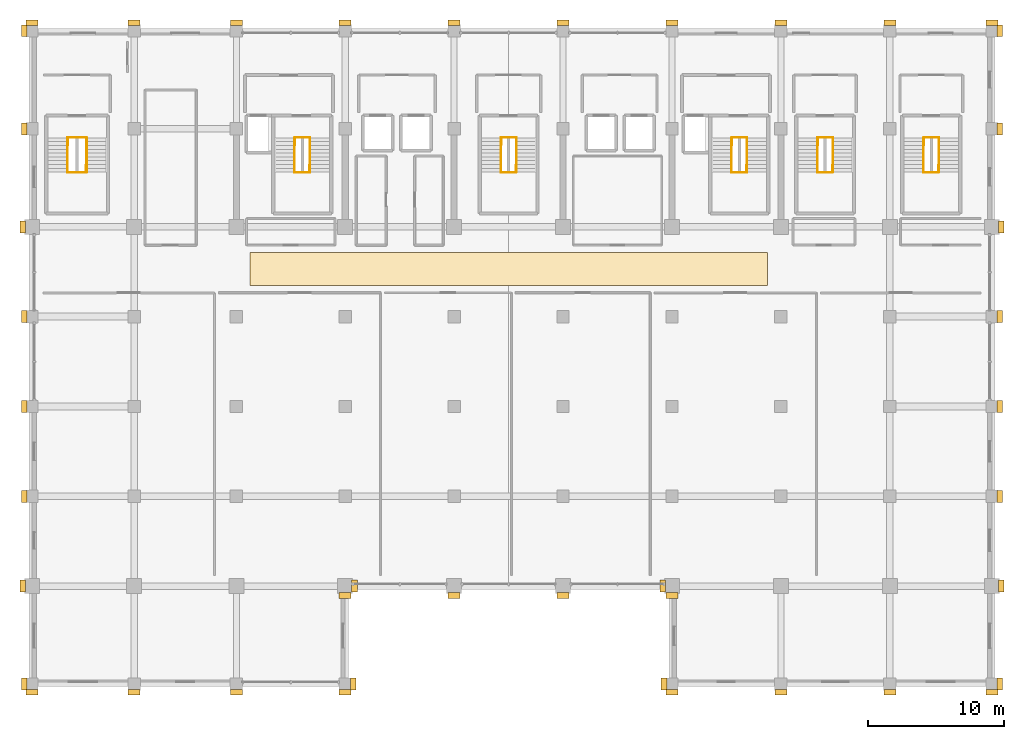
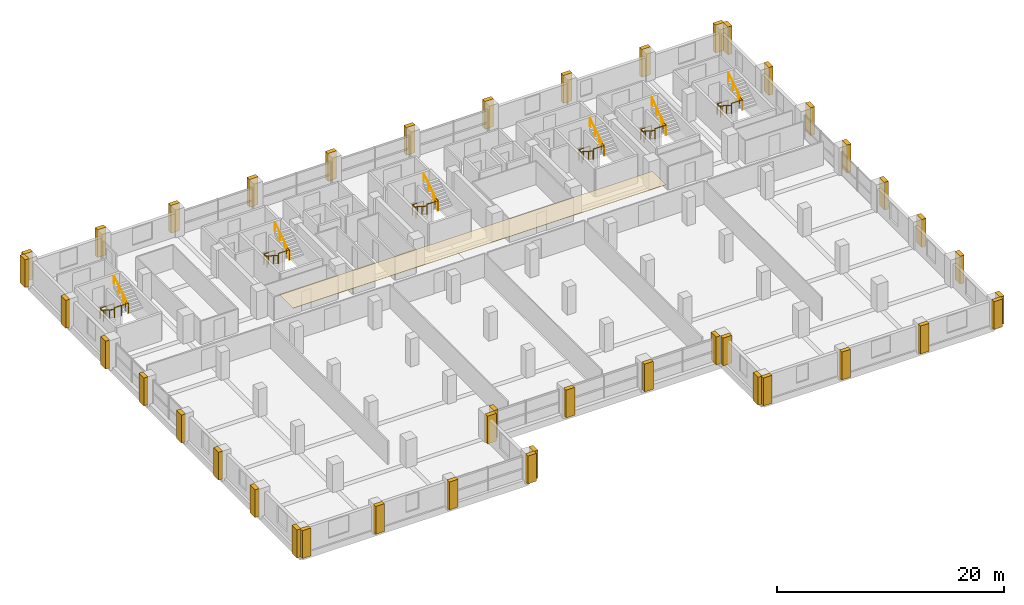
# One storey, part 21 of 21: 43 coverings, 24 railings.
"""IFC4 building model written with IfcOpenShell, lengths in metres."""

import ifcopenshell
import ifcopenshell.guid

model = None  # the IFC model being written
_history = None  # IfcOwnerHistory: only IFC2X3 demands one
_inside = {}  # id of a spatial element -> (the spatial element, [elements in it])
_under = {}  # id of a project, library or spatial element -> (it, [spatial elements below it])
_declared = {}  # id of a project -> (the project, [libraries it declares])
_typed = {}  # id of a type object -> (the type object, [elements of that type])
_made_of = {}  # id of a material, layer set ... -> (it, [elements and type objects made of it])


def new_model(schema):
    """Start an empty IFC model of exactly this schema.

    Asked for "IFC4X3", IfcOpenShell would pick the latest addendum, in which some entities
    have other attributes; the version numbers below select the first issue.
    IFC2X3 requires an IfcOwnerHistory on every rooted entity: one is made here for all.
    """
    global model, _history
    if schema == "IFC4X3":
        model = ifcopenshell.file(schema_version=(4, 3, 0, 0))
    else:
        model = ifcopenshell.file(schema=schema)
    _inside.clear()
    _under.clear()
    _declared.clear()
    _typed.clear()
    _made_of.clear()
    _history = None
    if model.schema == "IFC2X3":
        org = make("IfcOrganization", Name="unknown")
        user = make(
            "IfcPersonAndOrganization",
            ThePerson=make("IfcPerson", FamilyName="unknown"),
            TheOrganization=org,
        )
        app = make(
            "IfcApplication",
            ApplicationDeveloper=org,
            Version="unknown",
            ApplicationFullName="unknown",
            ApplicationIdentifier="unknown",
        )
        _history = make(
            "IfcOwnerHistory",
            OwningUser=user,
            OwningApplication=app,
            ChangeAction="ADDED",
            CreationDate=0,
        )
    return model


def make(cls, **values):
    """One entity of the class cls with the attributes given. An attribute that is None is left unset."""
    return model.create_entity(
        cls, **{name: value for name, value in values.items() if value is not None}
    )


def rooted(cls, **values):
    """An entity with a GlobalId (a new one), such as an element, a storey or a relation."""
    return make(cls, GlobalId=ifcopenshell.guid.new(), OwnerHistory=_history, **values)


def si_unit(unit_type, name, prefix=None):
    """IfcSIUnit, for example si_unit("LENGTHUNIT", "METRE", prefix="MILLI")."""
    return make("IfcSIUnit", UnitType=unit_type, Prefix=prefix, Name=name)


def assignment(units):
    """IfcUnitAssignment: the units of a project."""
    return None if units is None else make("IfcUnitAssignment", Units=units)


def point(xyz):
    """IfcCartesianPoint."""
    return None if xyz is None else make("IfcCartesianPoint", Coordinates=xyz)


def direction(xyz):
    """IfcDirection."""
    return None if xyz is None else make("IfcDirection", DirectionRatios=xyz)


def frame(location, z_axis=None, x_axis=None):
    """IfcAxis2Placement3D, a coordinate frame: its origin and axes. An axis left out is left unset."""
    return make(
        "IfcAxis2Placement3D",
        Location=point(location),
        Axis=direction(z_axis),
        RefDirection=direction(x_axis),
    )


def frame_2d(location, x_axis=None):
    """IfcAxis2Placement2D, a coordinate frame in the plane: its origin and x axis."""
    return make(
        "IfcAxis2Placement2D", Location=point(location), RefDirection=direction(x_axis)
    )


def origin():
    """The frame at (0, 0, 0) with its axes left unset."""
    return frame((0.0, 0.0, 0.0))


def origin_2d():
    """The frame at (0, 0) in the plane with its x axis left unset."""
    return frame_2d((0.0, 0.0))


def place(relative_to, where):
    """IfcLocalPlacement: puts the frame where relative to a parent placement (None: the world)."""
    return make(
        "IfcLocalPlacement", PlacementRelTo=relative_to, RelativePlacement=where
    )


def context(
    kind, dimensions, precision=None, world=None, true_north=None, identifier=None
):
    """IfcGeometricRepresentationContext, for example the 3D "Model" context."""
    return make(
        "IfcGeometricRepresentationContext",
        ContextIdentifier=identifier,
        ContextType=kind,
        CoordinateSpaceDimension=dimensions,
        Precision=precision,
        WorldCoordinateSystem=world,
        TrueNorth=true_north,
    )


def subcontext(parent, identifier, kind, view, scale=None):
    """IfcGeometricRepresentationSubContext, for example "Body" below "Model"."""
    return make(
        "IfcGeometricRepresentationSubContext",
        ContextIdentifier=identifier,
        ContextType=kind,
        ParentContext=parent,
        TargetScale=scale,
        TargetView=view,
    )


def project(units=None, contexts=None):
    """IfcProject with its units and contexts."""
    return rooted(
        "IfcProject",
        Name="project",
        RepresentationContexts=contexts,
        UnitsInContext=assignment(units),
    )


def spatial(cls, under=None, at=None, **own):
    """A site, building, storey or space (cls), placed at a placement, below another one or the project."""
    s = rooted(cls, ObjectPlacement=at, **own)
    if under is not None:
        _under.setdefault(under.id(), (under, []))[1].append(s)
    return s


def profile(cls, at=None, kind="AREA", **sizes):
    """A parametric profile (cls). Its sizes go by their IFC names, for example OverallWidth=200.0."""
    return make(cls, ProfileType=kind, Position=at, **sizes)


def rectangle(**sizes):
    """IfcRectangleProfileDef."""
    return profile("IfcRectangleProfileDef", **sizes)


def circle(**sizes):
    """IfcCircleProfileDef."""
    return profile("IfcCircleProfileDef", **sizes)


def extrude(swept, where, along, depth):
    """IfcExtrudedAreaSolid: the profile swept, set in the frame where, extruded along a direction by depth."""
    return make(
        "IfcExtrudedAreaSolid",
        SweptArea=swept,
        Position=where,
        ExtrudedDirection=direction(along),
        Depth=depth,
    )


def shape(context_of_items, identifier, shape_type, items):
    """IfcShapeRepresentation: the items that make up one representation, for example the "Body"."""
    return make(
        "IfcShapeRepresentation",
        ContextOfItems=context_of_items,
        RepresentationIdentifier=identifier,
        RepresentationType=shape_type,
        Items=items,
    )


def material(Name=None, Category=None):
    """IfcMaterial."""
    return make("IfcMaterial", Name=Name, Category=Category)


def layer(
    of_material, thickness, ventilated=None, Name=None, Category=None, Priority=None
):
    """IfcMaterialLayer: one layer of a wall or slab, of a material (None: an air gap)."""
    return make(
        "IfcMaterialLayer",
        Material=of_material,
        LayerThickness=thickness,
        IsVentilated=ventilated,
        Name=Name,
        Category=Category,
        Priority=Priority,
    )


def layer_set(layers, Name=None):
    """IfcMaterialLayerSet."""
    return make("IfcMaterialLayerSet", MaterialLayers=layers, LayerSetName=Name)


def made_of(thing, what):
    """Note that an element or type object is made of a material, layer set ...; save() writes the relation."""
    if what is not None:
        _made_of.setdefault(what.id(), (what, []))[1].append(thing)
    return thing


def type_object(cls, material=None, **own):
    """A type object (cls), such as IfcWallType, which elements share."""
    return made_of(rooted(cls, **own), material)


def element(
    cls,
    number,
    at=None,
    inside=None,
    cuts=None,
    type_object=None,
    material=None,
    context=None,
    identifier="Body",
    shape_type=None,
    held_by="IfcProductDefinitionShape",
    body=None,
    shapes=None,
    **own,
):
    """One element of the class cls, such as IfcWall. Its Tag is "e" and its number.

    at: its placement. inside: the storey or other place that contains it. cuts: it is an
    opening in that element (IfcRelVoidsElement). A single representation is given by context,
    identifier, shape_type and body (its items); several are given by shapes. held_by: the class
    of the entity that holds the representations. save() writes the other relations.
    """
    e = rooted(cls, Tag="e%d" % number, ObjectPlacement=at, **own)
    if body is not None:
        shapes = [shape(context, identifier, shape_type, body)]
    if shapes is not None:
        e.Representation = make(held_by, Representations=shapes)
    if inside is not None:
        _inside.setdefault(inside.id(), (inside, []))[1].append(e)
    if cuts is not None:
        rooted(
            "IfcRelVoidsElement", RelatingBuildingElement=cuts, RelatedOpeningElement=e
        )
    if type_object is not None:
        _typed.setdefault(type_object.id(), (type_object, []))[1].append(e)
    return made_of(e, material)


def aggregate(whole, parts):
    """IfcRelAggregates: a whole, such as a stair, and the parts it consists of."""
    return rooted("IfcRelAggregates", RelatingObject=whole, RelatedObjects=parts)


def save(model, path):
    """Write the relations noted so far, then the file.

    IfcRelAggregates (storeys below a building ...), IfcRelContainedInSpatialStructure (elements
    in a storey), IfcRelDefinesByType, IfcRelAssociatesMaterial and IfcRelDeclares: one each for
    every whole, place, type object, material and project.
    """
    for whole, parts in _under.values():
        aggregate(whole, parts)
    for where, things in _inside.values():
        rooted(
            "IfcRelContainedInSpatialStructure",
            RelatedElements=things,
            RelatingStructure=where,
        )
    for kind, things in _typed.values():
        rooted("IfcRelDefinesByType", RelatedObjects=things, RelatingType=kind)
    for what, things in _made_of.values():
        rooted("IfcRelAssociatesMaterial", RelatedObjects=things, RelatingMaterial=what)
    for by, libraries in _declared.values():
        rooted("IfcRelDeclares", RelatingContext=by, RelatedDefinitions=libraries)
    model.write(path)


model = new_model("IFC4")

# Units and contexts
model_context = context("Model", 3, precision=1e-05, world=origin(), true_north=direction((0.0, 1.0)))
body_context = subcontext(model_context, "Body", "Model", "MODEL_VIEW")
ifc_project = project(units=[si_unit("LENGTHUNIT", "METRE"), si_unit("AREAUNIT", "SQUARE_METRE"), si_unit("VOLUMEUNIT", "CUBIC_METRE"), si_unit("PLANEANGLEUNIT", "RADIAN"), si_unit("MASSUNIT", "GRAM", prefix="KILO")], contexts=[model_context])

# Site, building, storey
site_placement = place(None, origin())
site = spatial("IfcSite", under=ifc_project, at=site_placement, CompositionType="ELEMENT")
building_placement = place(site_placement, origin())
building = spatial("IfcBuilding", under=site, at=building_placement, Name="Akrevak Sports Hall", CompositionType="ELEMENT")
storey_placement = place(building_placement, frame((0.0, 0.0, 34.050048828125)))
storey = spatial("IfcBuildingStorey", under=building, at=storey_placement, Name="L07", CompositionType="ELEMENT", Elevation=34.050048828125)

# Coverings
ifc_material_1 = material(Name="Perforated Acoustic Gypsum Board", Category="gypsum")
ifc_layer_1 = layer(ifc_material_1, 0.0400390625, Name="Perforated Acoustic Gypsum Board")
ifc_layer_set_1 = layer_set([ifc_layer_1], Name="Perforated Acoustic Gypsum Board")
covering_type_1 = type_object("IfcCoveringType", Name="ARC-COV-CLG-ACST", PredefinedType="CEILING", material=ifc_layer_set_1)
covering_placement = place(storey_placement, frame((80.0, 52.10009765625, 2.9599609375), z_axis=(0.0, 0.0, 1.0), x_axis=(1.0, 0.0, 0.0)))
element("IfcCovering", 1, at=covering_placement, inside=storey, type_object=covering_type_1, Name="Corridor Acoustic Ceiling L07", PredefinedType="CEILING", context=body_context, shape_type="SweptSolid", body=[
    extrude(rectangle(XDim=38.0, YDim=2.39990234375, at=origin_2d()), origin(), (0.0, 0.0, 1.0), 0.0400390625),
])
ifc_material_2 = material(Name="Limestone Ashlar", Category="stone")
ifc_layer_2 = layer(ifc_material_2, 0.47998046875, Name="Limestone Ashlar")
ifc_layer_set_2 = layer_set([ifc_layer_2], Name="Limestone Ashlar")
covering_type_2 = type_object("IfcCoveringType", Name="ARC-COV-PIL-LIM", PredefinedType="CLADDING", material=ifc_layer_set_2)
for number, where, z_axis, x_axis, name in (
    (2, (45.0, 21.02001953125, 0.0), (0.0, 0.0, 1.0), (1.0, 0.0, 0.0), "Giant-Order Limestone Pilaster L07-01-01"),
    (3, (52.5, 21.02001953125, 0.0), (0.0, 0.0, 1.0), (1.0, 0.0, 0.0), "Giant-Order Limestone Pilaster L07-01-02"),
    (4, (60.0, 21.02001953125, 0.0), (0.0, 0.0, 1.0), (1.0, 0.0, 0.0), "Giant-Order Limestone Pilaster L07-01-03"),
    (5, (68.0, 21.02001953125, 0.0), (0.0, 0.0, 1.0), (1.0, 0.0, 0.0), "Giant-Order Limestone Pilaster L07-01-04"),
    (6, (68.580078125, 21.60009765625, 0.0), (0.0, 0.0, 1.0), (0.0, 1.0, 0.0), "Giant-Order Limestone Pilaster L07-02-04"),
    (7, (68.679931640625, 28.800048828125, 0.0), (0.0, 0.0, 1.0), (0.0, 1.0, 0.0), "Giant-Order Limestone Pilaster L07-02-05"),
    (8, (68.0, 28.1201171875, 0.0), (0.0, 0.0, 1.0), (1.0, 0.0, 0.0), "Giant-Order Limestone Pilaster L07-03-05"),
    (9, (76.0, 28.1201171875, 0.0), (0.0, 0.0, 1.0), (1.0, 0.0, 0.0), "Giant-Order Limestone Pilaster L07-03-06"),
    (10, (84.0, 28.1201171875, 0.0), (0.0, 0.0, 1.0), (1.0, 0.0, 0.0), "Giant-Order Limestone Pilaster L07-03-07"),
    (11, (92.0, 28.1201171875, 0.0), (0.0, 0.0, 1.0), (1.0, 0.0, 0.0), "Giant-Order Limestone Pilaster L07-03-08"),
    (12, (91.419921875, 21.60009765625, 0.0), (0.0, 0.0, 1.0), (0.0, -1.0, 0.0), "Giant-Order Limestone Pilaster L07-04-09"),
    (13, (91.320068359375, 28.800048828125, 0.0), (0.0, 0.0, 1.0), (0.0, -1.0, 0.0), "Giant-Order Limestone Pilaster L07-04-09"),
    (14, (92.0, 21.02001953125, 0.0), (0.0, 0.0, 1.0), (1.0, 0.0, 0.0), "Giant-Order Limestone Pilaster L07-05-09"),
    (15, (100.0, 21.02001953125, 0.0), (0.0, 0.0, 1.0), (1.0, 0.0, 0.0), "Giant-Order Limestone Pilaster L07-05-10"),
    (16, (108.0, 21.02001953125, 0.0), (0.0, 0.0, 1.0), (1.0, 0.0, 0.0), "Giant-Order Limestone Pilaster L07-05-11"),
    (17, (115.5, 21.02001953125, 0.0), (0.0, 0.0, 1.0), (1.0, 0.0, 0.0), "Giant-Order Limestone Pilaster L07-05-12"),
    (18, (116.080078125, 21.60009765625, 0.0), (0.0, 0.0, 1.0), (0.0, 1.0, 0.0), "Giant-Order Limestone Pilaster L07-06-12"),
    (19, (116.179931640625, 28.800048828125, 0.0), (0.0, 0.0, 1.0), (0.0, 1.0, 0.0), "Giant-Order Limestone Pilaster L07-06-13"),
    (20, (116.080078125, 35.39990234375, 0.0), (0.0, 0.0, 1.0), (0.0, 1.0, 0.0), "Giant-Order Limestone Pilaster L07-06-14"),
    (21, (116.080078125, 42.0, 0.0), (0.0, 0.0, 1.0), (0.0, 1.0, 0.0), "Giant-Order Limestone Pilaster L07-06-15"),
    (22, (116.080078125, 48.60009765625, 0.0), (0.0, 0.0, 1.0), (0.0, 1.0, 0.0), "Giant-Order Limestone Pilaster L07-06-16"),
    (23, (116.179931640625, 55.199951171875, 0.0), (0.0, 0.0, 1.0), (0.0, 1.0, 0.0), "Giant-Order Limestone Pilaster L07-06-17"),
    (24, (116.080078125, 62.39990234375, 0.0), (0.0, 0.0, 1.0), (0.0, 1.0, 0.0), "Giant-Order Limestone Pilaster L07-06-18"),
    (25, (116.080078125, 69.60009765625, 0.0), (0.0, 0.0, 1.0), (0.0, 1.0, 0.0), "Giant-Order Limestone Pilaster L07-06-19"),
    (26, (45.0, 70.179931640625, 0.0), (0.0, 0.0, 1.0), (-1.0, 0.0, 0.0), "Giant-Order Limestone Pilaster L07-07-20"),
    (27, (52.5, 70.179931640625, 0.0), (0.0, 0.0, 1.0), (-1.0, 0.0, 0.0), "Giant-Order Limestone Pilaster L07-07-21"),
    (28, (60.0, 70.179931640625, 0.0), (0.0, 0.0, 1.0), (-1.0, 0.0, 0.0), "Giant-Order Limestone Pilaster L07-07-22"),
    (29, (68.0, 70.179931640625, 0.0), (0.0, 0.0, 1.0), (-1.0, 0.0, 0.0), "Giant-Order Limestone Pilaster L07-07-23"),
    (30, (76.0, 70.179931640625, 0.0), (0.0, 0.0, 1.0), (-1.0, 0.0, 0.0), "Giant-Order Limestone Pilaster L07-07-24"),
    (31, (84.0, 70.179931640625, 0.0), (0.0, 0.0, 1.0), (-1.0, 0.0, 0.0), "Giant-Order Limestone Pilaster L07-07-25"),
    (32, (92.0, 70.179931640625, 0.0), (0.0, 0.0, 1.0), (-1.0, 0.0, 0.0), "Giant-Order Limestone Pilaster L07-07-26"),
    (33, (100.0, 70.179931640625, 0.0), (0.0, 0.0, 1.0), (-1.0, 0.0, 0.0), "Giant-Order Limestone Pilaster L07-07-27"),
    (34, (108.0, 70.179931640625, 0.0), (0.0, 0.0, 1.0), (-1.0, 0.0, 0.0), "Giant-Order Limestone Pilaster L07-07-28"),
    (35, (115.5, 70.179931640625, 0.0), (0.0, 0.0, 1.0), (-1.0, 0.0, 0.0), "Giant-Order Limestone Pilaster L07-07-28"),
    (36, (44.419921875, 21.60009765625, 0.0), (0.0, 0.0, 1.0), (0.0, -1.0, 0.0), "Giant-Order Limestone Pilaster L07-08-28"),
    (37, (44.320068359375, 28.800048828125, 0.0), (0.0, 0.0, 1.0), (0.0, -1.0, 0.0), "Giant-Order Limestone Pilaster L07-08-29"),
    (38, (44.419921875, 35.39990234375, 0.0), (0.0, 0.0, 1.0), (0.0, -1.0, 0.0), "Giant-Order Limestone Pilaster L07-08-30"),
    (39, (44.419921875, 42.0, 0.0), (0.0, 0.0, 1.0), (0.0, -1.0, 0.0), "Giant-Order Limestone Pilaster L07-08-31"),
    (40, (44.419921875, 48.60009765625, 0.0), (0.0, 0.0, 1.0), (0.0, -1.0, 0.0), "Giant-Order Limestone Pilaster L07-08-32"),
    (41, (44.320068359375, 55.199951171875, 0.0), (0.0, 0.0, 1.0), (0.0, -1.0, 0.0), "Giant-Order Limestone Pilaster L07-08-33"),
    (42, (44.419921875, 62.39990234375, 0.0), (0.0, 0.0, 1.0), (0.0, -1.0, 0.0), "Giant-Order Limestone Pilaster L07-08-34"),
    (43, (44.419921875, 69.60009765625, 0.0), (0.0, 0.0, 1.0), (0.0, -1.0, 0.0), "Giant-Order Limestone Pilaster L07-08-34"),
):
    element("IfcCovering", number, at=place(storey_placement, frame(where, z_axis=z_axis, x_axis=x_axis)), inside=storey, type_object=covering_type_2, Name=name, PredefinedType="CLADDING", context=body_context, shape_type="SweptSolid", body=[
        extrude(rectangle(XDim=0.8798828125, YDim=0.419921875, at=origin_2d()), origin(), (0.0, 0.0, 1.0), 3.0),
    ])

# Railings
ifc_material_3 = material(Name="Painted Architectural Balustrade Steel", Category="steel")
ifc_layer_3 = layer(ifc_material_3, 0.06005859375, Name="Painted Architectural Balustrade Steel")
ifc_layer_set_3 = layer_set([ifc_layer_3], Name="Painted Architectural Balustrade Steel")
railing_type_1 = type_object("IfcRailingType", Name="ARC-RL-GRD-1120", PredefinedType="GUARDRAIL", material=ifc_layer_set_3)
railing_1_placement = place(storey_placement, frame((64.31005859375, 61.215087890625, 0.0)))
element("IfcRailing", 44, at=railing_1_placement, inside=storey, type_object=railing_type_1, Name="Stair Floor Landing Well Guard ST1 (L07)", PredefinedType="GUARDRAIL", context=body_context, shape_type="SweptSolid", body=[
    extrude(circle(Radius=0.02392578125, at=origin_2d()), frame((0.0, 0.0, 1.09619140625), z_axis=(0.0, 1.0, 0.0), x_axis=(-1.0, 0.0, 0.0)), (0.0, 0.0, 1.0), 0.5498046875),
    extrude(circle(Radius=0.02392578125, at=origin_2d()), frame((0.0, 0.5498046875, 1.09619140625), z_axis=(1.0, 0.0, 0.0), x_axis=(0.0, 1.0, 0.0)), (0.0, 0.0, 1.0), 1.10986328125),
    extrude(circle(Radius=0.02099609375, at=origin_2d()), origin(), (0.0, 0.0, 1.0), 1.072021484375),
    extrude(circle(Radius=0.02099609375, at=origin_2d()), frame((0.0, 0.5498046875, 0.0)), (0.0, 0.0, 1.0), 1.072021484375),
    extrude(circle(Radius=0.02099609375, at=origin_2d()), frame((1.10986328125, 0.5498046875, 0.0)), (0.0, 0.0, 1.0), 1.072021484375),
])
railing_2_placement = place(storey_placement, frame((64.280029296875, 59.18505859375, 1.625)))
element("IfcRailing", 45, at=railing_2_placement, inside=storey, type_object=railing_type_1, Name="Stair Landing Well Guard ST1-L07-1", PredefinedType="GUARDRAIL", context=body_context, shape_type="SweptSolid", body=[
    extrude(circle(Radius=0.02392578125, at=origin_2d()), frame((0.0, 0.0, 1.09619140625), z_axis=(1.0, 0.0, 0.0), x_axis=(0.0, 1.0, 0.0)), (0.0, 0.0, 1.0), 1.10986328125),
    extrude(circle(Radius=0.02392578125, at=origin_2d()), frame((1.10986328125, 0.0, 1.09619140625), z_axis=(0.0, 1.0, 0.0), x_axis=(-1.0, 0.0, 0.0)), (0.0, 0.0, 1.0), 0.52001953125),
    extrude(circle(Radius=0.02099609375, at=origin_2d()), origin(), (0.0, 0.0, 1.0), 1.072021484375),
    extrude(circle(Radius=0.02099609375, at=origin_2d()), frame((1.10986328125, 0.0, 0.0)), (0.0, 0.0, 1.0), 1.072021484375),
    extrude(circle(Radius=0.02099609375, at=origin_2d()), frame((1.10986328125, 0.52001953125, 0.0)), (0.0, 0.0, 1.0), 1.072021484375),
])
railing_3_placement = place(storey_placement, frame((96.409912109375, 61.215087890625, 0.0)))
element("IfcRailing", 46, at=railing_3_placement, inside=storey, type_object=railing_type_1, Name="Stair Floor Landing Well Guard ST2 (L07)", PredefinedType="GUARDRAIL", context=body_context, shape_type="SweptSolid", body=[
    extrude(circle(Radius=0.02392578125, at=origin_2d()), frame((0.0, 0.0, 1.09619140625), z_axis=(0.0, 1.0, 0.0), x_axis=(-1.0, 0.0, 0.0)), (0.0, 0.0, 1.0), 0.5498046875),
    extrude(circle(Radius=0.02392578125, at=origin_2d()), frame((0.0, 0.5498046875, 1.09619140625), z_axis=(1.0, 0.0, 0.0), x_axis=(0.0, 1.0, 0.0)), (0.0, 0.0, 1.0), 1.110107421875),
    extrude(circle(Radius=0.02099609375, at=origin_2d()), origin(), (0.0, 0.0, 1.0), 1.072021484375),
    extrude(circle(Radius=0.02099609375, at=origin_2d()), frame((0.0, 0.5498046875, 0.0)), (0.0, 0.0, 1.0), 1.072021484375),
    extrude(circle(Radius=0.02099609375, at=origin_2d()), frame((1.110107421875, 0.5498046875, 0.0)), (0.0, 0.0, 1.0), 1.072021484375),
])
railing_4_placement = place(storey_placement, frame((96.3798828125, 59.18505859375, 1.625)))
element("IfcRailing", 47, at=railing_4_placement, inside=storey, type_object=railing_type_1, Name="Stair Landing Well Guard ST2-L07-1", PredefinedType="GUARDRAIL", context=body_context, shape_type="SweptSolid", body=[
    extrude(circle(Radius=0.02392578125, at=origin_2d()), frame((0.0, 0.0, 1.09619140625), z_axis=(1.0, 0.0, 0.0), x_axis=(0.0, 1.0, 0.0)), (0.0, 0.0, 1.0), 1.110107421875),
    extrude(circle(Radius=0.02392578125, at=origin_2d()), frame((1.110107421875, 0.0, 1.09619140625), z_axis=(0.0, 1.0, 0.0), x_axis=(-1.0, 0.0, 0.0)), (0.0, 0.0, 1.0), 0.52001953125),
    extrude(circle(Radius=0.02099609375, at=origin_2d()), origin(), (0.0, 0.0, 1.0), 1.072021484375),
    extrude(circle(Radius=0.02099609375, at=origin_2d()), frame((1.110107421875, 0.0, 0.0)), (0.0, 0.0, 1.0), 1.072021484375),
    extrude(circle(Radius=0.02099609375, at=origin_2d()), frame((1.110107421875, 0.52001953125, 0.0)), (0.0, 0.0, 1.0), 1.072021484375),
])
railing_5_placement = place(storey_placement, frame((79.4599609375, 61.215087890625, 0.0)))
element("IfcRailing", 48, at=railing_5_placement, inside=storey, type_object=railing_type_1, Name="Stair Floor Landing Well Guard ST3 (L07)", PredefinedType="GUARDRAIL", context=body_context, shape_type="SweptSolid", body=[
    extrude(circle(Radius=0.02392578125, at=origin_2d()), frame((0.0, 0.0, 1.09619140625), z_axis=(0.0, 1.0, 0.0), x_axis=(-1.0, 0.0, 0.0)), (0.0, 0.0, 1.0), 0.5498046875),
    extrude(circle(Radius=0.02392578125, at=origin_2d()), frame((0.0, 0.5498046875, 1.09619140625), z_axis=(1.0, 0.0, 0.0), x_axis=(0.0, 1.0, 0.0)), (0.0, 0.0, 1.0), 1.110107421875),
    extrude(circle(Radius=0.02099609375, at=origin_2d()), origin(), (0.0, 0.0, 1.0), 1.072021484375),
    extrude(circle(Radius=0.02099609375, at=origin_2d()), frame((0.0, 0.5498046875, 0.0)), (0.0, 0.0, 1.0), 1.072021484375),
    extrude(circle(Radius=0.02099609375, at=origin_2d()), frame((1.110107421875, 0.5498046875, 0.0)), (0.0, 0.0, 1.0), 1.072021484375),
])
railing_6_placement = place(storey_placement, frame((79.429931640625, 59.18505859375, 1.625)))
element("IfcRailing", 49, at=railing_6_placement, inside=storey, type_object=railing_type_1, Name="Stair Landing Well Guard ST3-L07-1", PredefinedType="GUARDRAIL", context=body_context, shape_type="SweptSolid", body=[
    extrude(circle(Radius=0.02392578125, at=origin_2d()), frame((0.0, 0.0, 1.09619140625), z_axis=(1.0, 0.0, 0.0), x_axis=(0.0, 1.0, 0.0)), (0.0, 0.0, 1.0), 1.110107421875),
    extrude(circle(Radius=0.02392578125, at=origin_2d()), frame((1.110107421875, 0.0, 1.09619140625), z_axis=(0.0, 1.0, 0.0), x_axis=(-1.0, 0.0, 0.0)), (0.0, 0.0, 1.0), 0.52001953125),
    extrude(circle(Radius=0.02099609375, at=origin_2d()), origin(), (0.0, 0.0, 1.0), 1.072021484375),
    extrude(circle(Radius=0.02099609375, at=origin_2d()), frame((1.110107421875, 0.0, 0.0)), (0.0, 0.0, 1.0), 1.072021484375),
    extrude(circle(Radius=0.02099609375, at=origin_2d()), frame((1.110107421875, 0.52001953125, 0.0)), (0.0, 0.0, 1.0), 1.072021484375),
])
railing_7_placement = place(storey_placement, frame((47.6201171875, 61.215087890625, 0.0)))
element("IfcRailing", 50, at=railing_7_placement, inside=storey, type_object=railing_type_1, Name="Stair Floor Landing Well Guard ST4 (L07)", PredefinedType="GUARDRAIL", context=body_context, shape_type="SweptSolid", body=[
    extrude(circle(Radius=0.02392578125, at=origin_2d()), frame((0.0, 0.0, 1.09619140625), z_axis=(0.0, 1.0, 0.0), x_axis=(-1.0, 0.0, 0.0)), (0.0, 0.0, 1.0), 0.5498046875),
    extrude(circle(Radius=0.02392578125, at=origin_2d()), frame((0.0, 0.5498046875, 1.09619140625), z_axis=(1.0, 0.0, 0.0), x_axis=(0.0, 1.0, 0.0)), (0.0, 0.0, 1.0), 1.389892578125),
    extrude(circle(Radius=0.02099609375, at=origin_2d()), origin(), (0.0, 0.0, 1.0), 1.072021484375),
    extrude(circle(Radius=0.02099609375, at=origin_2d()), frame((0.0, 0.5498046875, 0.0)), (0.0, 0.0, 1.0), 1.072021484375),
    extrude(circle(Radius=0.02099609375, at=origin_2d()), frame((0.69482421875, 0.5498046875, 0.0)), (0.0, 0.0, 1.0), 1.072021484375),
    extrude(circle(Radius=0.02099609375, at=origin_2d()), frame((1.389892578125, 0.5498046875, 0.0)), (0.0, 0.0, 1.0), 1.072021484375),
])
railing_8_placement = place(storey_placement, frame((47.590087890625, 59.18505859375, 1.625)))
element("IfcRailing", 51, at=railing_8_placement, inside=storey, type_object=railing_type_1, Name="Stair Landing Well Guard ST4-L07-1", PredefinedType="GUARDRAIL", context=body_context, shape_type="SweptSolid", body=[
    extrude(circle(Radius=0.02392578125, at=origin_2d()), frame((0.0, 0.0, 1.09619140625), z_axis=(1.0, 0.0, 0.0), x_axis=(0.0, 1.0, 0.0)), (0.0, 0.0, 1.0), 1.389892578125),
    extrude(circle(Radius=0.02392578125, at=origin_2d()), frame((1.389892578125, 0.0, 1.09619140625), z_axis=(0.0, 1.0, 0.0), x_axis=(-1.0, 0.0, 0.0)), (0.0, 0.0, 1.0), 0.52001953125),
    extrude(circle(Radius=0.02099609375, at=origin_2d()), origin(), (0.0, 0.0, 1.0), 1.072021484375),
    extrude(circle(Radius=0.02099609375, at=origin_2d()), frame((0.69482421875, 0.0, 0.0)), (0.0, 0.0, 1.0), 1.072021484375),
    extrude(circle(Radius=0.02099609375, at=origin_2d()), frame((1.389892578125, 0.0, 0.0)), (0.0, 0.0, 1.0), 1.072021484375),
    extrude(circle(Radius=0.02099609375, at=origin_2d()), frame((1.389892578125, 0.52001953125, 0.0)), (0.0, 0.0, 1.0), 1.072021484375),
])
railing_9_placement = place(storey_placement, frame((102.7099609375, 61.215087890625, 0.0)))
element("IfcRailing", 52, at=railing_9_placement, inside=storey, type_object=railing_type_1, Name="Stair Floor Landing Well Guard ST10 (L07)", PredefinedType="GUARDRAIL", context=body_context, shape_type="SweptSolid", body=[
    extrude(circle(Radius=0.02392578125, at=origin_2d()), frame((0.0, 0.0, 1.09619140625), z_axis=(0.0, 1.0, 0.0), x_axis=(-1.0, 0.0, 0.0)), (0.0, 0.0, 1.0), 0.5498046875),
    extrude(circle(Radius=0.02392578125, at=origin_2d()), frame((0.0, 0.5498046875, 1.09619140625), z_axis=(1.0, 0.0, 0.0), x_axis=(0.0, 1.0, 0.0)), (0.0, 0.0, 1.0), 1.110107421875),
    extrude(circle(Radius=0.02099609375, at=origin_2d()), origin(), (0.0, 0.0, 1.0), 1.072021484375),
    extrude(circle(Radius=0.02099609375, at=origin_2d()), frame((0.0, 0.5498046875, 0.0)), (0.0, 0.0, 1.0), 1.072021484375),
    extrude(circle(Radius=0.02099609375, at=origin_2d()), frame((1.110107421875, 0.5498046875, 0.0)), (0.0, 0.0, 1.0), 1.072021484375),
])
railing_10_placement = place(storey_placement, frame((102.679931640625, 59.18505859375, 1.625)))
element("IfcRailing", 53, at=railing_10_placement, inside=storey, type_object=railing_type_1, Name="Stair Landing Well Guard ST10-L07-1", PredefinedType="GUARDRAIL", context=body_context, shape_type="SweptSolid", body=[
    extrude(circle(Radius=0.02392578125, at=origin_2d()), frame((0.0, 0.0, 1.09619140625), z_axis=(1.0, 0.0, 0.0), x_axis=(0.0, 1.0, 0.0)), (0.0, 0.0, 1.0), 1.110107421875),
    extrude(circle(Radius=0.02392578125, at=origin_2d()), frame((1.110107421875, 0.0, 1.09619140625), z_axis=(0.0, 1.0, 0.0), x_axis=(-1.0, 0.0, 0.0)), (0.0, 0.0, 1.0), 0.52001953125),
    extrude(circle(Radius=0.02099609375, at=origin_2d()), origin(), (0.0, 0.0, 1.0), 1.072021484375),
    extrude(circle(Radius=0.02099609375, at=origin_2d()), frame((1.110107421875, 0.0, 0.0)), (0.0, 0.0, 1.0), 1.072021484375),
    extrude(circle(Radius=0.02099609375, at=origin_2d()), frame((1.110107421875, 0.52001953125, 0.0)), (0.0, 0.0, 1.0), 1.072021484375),
])
railing_11_placement = place(storey_placement, frame((110.510009765625, 61.215087890625, 0.0)))
element("IfcRailing", 54, at=railing_11_placement, inside=storey, type_object=railing_type_1, Name="Stair Floor Landing Well Guard ST11 (L07)", PredefinedType="GUARDRAIL", context=body_context, shape_type="SweptSolid", body=[
    extrude(circle(Radius=0.02392578125, at=origin_2d()), frame((0.0, 0.0, 1.09619140625), z_axis=(0.0, 1.0, 0.0), x_axis=(-1.0, 0.0, 0.0)), (0.0, 0.0, 1.0), 0.5498046875),
    extrude(circle(Radius=0.02392578125, at=origin_2d()), frame((0.0, 0.5498046875, 1.09619140625), z_axis=(1.0, 0.0, 0.0), x_axis=(0.0, 1.0, 0.0)), (0.0, 0.0, 1.0), 1.110107421875),
    extrude(circle(Radius=0.02099609375, at=origin_2d()), origin(), (0.0, 0.0, 1.0), 1.072021484375),
    extrude(circle(Radius=0.02099609375, at=origin_2d()), frame((0.0, 0.5498046875, 0.0)), (0.0, 0.0, 1.0), 1.072021484375),
    extrude(circle(Radius=0.02099609375, at=origin_2d()), frame((1.110107421875, 0.5498046875, 0.0)), (0.0, 0.0, 1.0), 1.072021484375),
])
railing_12_placement = place(storey_placement, frame((110.47998046875, 59.18505859375, 1.625)))
element("IfcRailing", 55, at=railing_12_placement, inside=storey, type_object=railing_type_1, Name="Stair Landing Well Guard ST11-L07-1", PredefinedType="GUARDRAIL", context=body_context, shape_type="SweptSolid", body=[
    extrude(circle(Radius=0.02392578125, at=origin_2d()), frame((0.0, 0.0, 1.09619140625), z_axis=(1.0, 0.0, 0.0), x_axis=(0.0, 1.0, 0.0)), (0.0, 0.0, 1.0), 1.110107421875),
    extrude(circle(Radius=0.02392578125, at=origin_2d()), frame((1.110107421875, 0.0, 1.09619140625), z_axis=(0.0, 1.0, 0.0), x_axis=(-1.0, 0.0, 0.0)), (0.0, 0.0, 1.0), 0.52001953125),
    extrude(circle(Radius=0.02099609375, at=origin_2d()), origin(), (0.0, 0.0, 1.0), 1.072021484375),
    extrude(circle(Radius=0.02099609375, at=origin_2d()), frame((1.110107421875, 0.0, 0.0)), (0.0, 0.0, 1.0), 1.072021484375),
    extrude(circle(Radius=0.02099609375, at=origin_2d()), frame((1.110107421875, 0.52001953125, 0.0)), (0.0, 0.0, 1.0), 1.072021484375),
])
ifc_material_4 = material(Name="Brushed Stainless Steel 304", Category="steel")
ifc_layer_4 = layer(ifc_material_4, 0.050048828125, Name="Brushed Stainless Steel 304")
ifc_layer_set_4 = layer_set([ifc_layer_4], Name="Brushed Stainless Steel 304")
railing_type_2 = type_object("IfcRailingType", Name="ARC-RL-HND-900", PredefinedType="HANDRAIL", material=ifc_layer_set_4)
railing_13_placement = place(storey_placement, frame((64.280029296875, 61.735107421875, 0.0)))
element("IfcRailing", 56, at=railing_13_placement, inside=storey, type_object=railing_type_2, Name="Stair Handrail ST1-L07-F1", PredefinedType="HANDRAIL", context=body_context, shape_type="SweptSolid", body=[
    extrude(circle(Radius=0.02392578125, at=origin_2d()), frame((0.0, 0.0, 0.8759765625), z_axis=(0.0, -0.840421059866, 0.541933983188), x_axis=(1.0, 0.0, 0.0)), (0.0, 0.0, 1.0), 2.99853515625),
    extrude(circle(Radius=0.02099609375, at=origin_2d()), origin(), (0.0, 0.0, 1.0), 0.851806640625),
    extrude(circle(Radius=0.02099609375, at=origin_2d()), frame((0.0, -0.840087890625, 0.541748046875)), (0.0, 0.0, 1.0), 0.851806640625),
    extrude(circle(Radius=0.02099609375, at=origin_2d()), frame((0.0, -1.679931640625, 1.083251953125)), (0.0, 0.0, 1.0), 0.851806640625),
    extrude(circle(Radius=0.02099609375, at=origin_2d()), frame((0.0, -2.52001953125, 1.625)), (0.0, 0.0, 1.0), 0.851806640625),
])
railing_14_placement = place(storey_placement, frame((65.419921875, 59.215087890625, 1.625)))
element("IfcRailing", 57, at=railing_14_placement, inside=storey, type_object=railing_type_2, Name="Stair Handrail ST1-L07-F2", PredefinedType="HANDRAIL", context=body_context, shape_type="SweptSolid", body=[
    extrude(circle(Radius=0.02392578125, at=origin_2d()), frame((0.0, 0.0, 0.8759765625), z_axis=(0.0, 0.840421059866, 0.541933983188), x_axis=(-1.0, 0.0, 0.0)), (0.0, 0.0, 1.0), 2.99853515625),
    extrude(circle(Radius=0.02099609375, at=origin_2d()), origin(), (0.0, 0.0, 1.0), 0.851806640625),
    extrude(circle(Radius=0.02099609375, at=origin_2d()), frame((0.0, 0.840087890625, 0.541748046875)), (0.0, 0.0, 1.0), 0.851806640625),
    extrude(circle(Radius=0.02099609375, at=origin_2d()), frame((0.0, 1.679931640625, 1.083251953125)), (0.0, 0.0, 1.0), 0.851806640625),
    extrude(circle(Radius=0.02099609375, at=origin_2d()), frame((0.0, 2.52001953125, 1.625)), (0.0, 0.0, 1.0), 0.851806640625),
])
railing_15_placement = place(storey_placement, frame((96.3798828125, 61.735107421875, 0.0)))
element("IfcRailing", 58, at=railing_15_placement, inside=storey, type_object=railing_type_2, Name="Stair Handrail ST2-L07-F1", PredefinedType="HANDRAIL", context=body_context, shape_type="SweptSolid", body=[
    extrude(circle(Radius=0.02392578125, at=origin_2d()), frame((0.0, 0.0, 0.8759765625), z_axis=(0.0, -0.840421059866, 0.541933983188), x_axis=(1.0, 0.0, 0.0)), (0.0, 0.0, 1.0), 2.99853515625),
    extrude(circle(Radius=0.02099609375, at=origin_2d()), origin(), (0.0, 0.0, 1.0), 0.851806640625),
    extrude(circle(Radius=0.02099609375, at=origin_2d()), frame((0.0, -0.840087890625, 0.541748046875)), (0.0, 0.0, 1.0), 0.851806640625),
    extrude(circle(Radius=0.02099609375, at=origin_2d()), frame((0.0, -1.679931640625, 1.083251953125)), (0.0, 0.0, 1.0), 0.851806640625),
    extrude(circle(Radius=0.02099609375, at=origin_2d()), frame((0.0, -2.52001953125, 1.625)), (0.0, 0.0, 1.0), 0.851806640625),
])
railing_16_placement = place(storey_placement, frame((97.52001953125, 59.215087890625, 1.625)))
element("IfcRailing", 59, at=railing_16_placement, inside=storey, type_object=railing_type_2, Name="Stair Handrail ST2-L07-F2", PredefinedType="HANDRAIL", context=body_context, shape_type="SweptSolid", body=[
    extrude(circle(Radius=0.02392578125, at=origin_2d()), frame((0.0, 0.0, 0.8759765625), z_axis=(0.0, 0.840421059866, 0.541933983188), x_axis=(-1.0, 0.0, 0.0)), (0.0, 0.0, 1.0), 2.99853515625),
    extrude(circle(Radius=0.02099609375, at=origin_2d()), origin(), (0.0, 0.0, 1.0), 0.851806640625),
    extrude(circle(Radius=0.02099609375, at=origin_2d()), frame((0.0, 0.840087890625, 0.541748046875)), (0.0, 0.0, 1.0), 0.851806640625),
    extrude(circle(Radius=0.02099609375, at=origin_2d()), frame((0.0, 1.679931640625, 1.083251953125)), (0.0, 0.0, 1.0), 0.851806640625),
    extrude(circle(Radius=0.02099609375, at=origin_2d()), frame((0.0, 2.52001953125, 1.625)), (0.0, 0.0, 1.0), 0.851806640625),
])
railing_17_placement = place(storey_placement, frame((79.429931640625, 61.735107421875, 0.0)))
element("IfcRailing", 60, at=railing_17_placement, inside=storey, type_object=railing_type_2, Name="Stair Handrail ST3-L07-F1", PredefinedType="HANDRAIL", context=body_context, shape_type="SweptSolid", body=[
    extrude(circle(Radius=0.02392578125, at=origin_2d()), frame((0.0, 0.0, 0.8759765625), z_axis=(0.0, -0.840421059866, 0.541933983188), x_axis=(1.0, 0.0, 0.0)), (0.0, 0.0, 1.0), 2.99853515625),
    extrude(circle(Radius=0.02099609375, at=origin_2d()), origin(), (0.0, 0.0, 1.0), 0.851806640625),
    extrude(circle(Radius=0.02099609375, at=origin_2d()), frame((0.0, -0.840087890625, 0.541748046875)), (0.0, 0.0, 1.0), 0.851806640625),
    extrude(circle(Radius=0.02099609375, at=origin_2d()), frame((0.0, -1.679931640625, 1.083251953125)), (0.0, 0.0, 1.0), 0.851806640625),
    extrude(circle(Radius=0.02099609375, at=origin_2d()), frame((0.0, -2.52001953125, 1.625)), (0.0, 0.0, 1.0), 0.851806640625),
])
railing_18_placement = place(storey_placement, frame((80.570068359375, 59.215087890625, 1.625)))
element("IfcRailing", 61, at=railing_18_placement, inside=storey, type_object=railing_type_2, Name="Stair Handrail ST3-L07-F2", PredefinedType="HANDRAIL", context=body_context, shape_type="SweptSolid", body=[
    extrude(circle(Radius=0.02392578125, at=origin_2d()), frame((0.0, 0.0, 0.8759765625), z_axis=(0.0, 0.840421059866, 0.541933983188), x_axis=(-1.0, 0.0, 0.0)), (0.0, 0.0, 1.0), 2.99853515625),
    extrude(circle(Radius=0.02099609375, at=origin_2d()), origin(), (0.0, 0.0, 1.0), 0.851806640625),
    extrude(circle(Radius=0.02099609375, at=origin_2d()), frame((0.0, 0.840087890625, 0.541748046875)), (0.0, 0.0, 1.0), 0.851806640625),
    extrude(circle(Radius=0.02099609375, at=origin_2d()), frame((0.0, 1.679931640625, 1.083251953125)), (0.0, 0.0, 1.0), 0.851806640625),
    extrude(circle(Radius=0.02099609375, at=origin_2d()), frame((0.0, 2.52001953125, 1.625)), (0.0, 0.0, 1.0), 0.851806640625),
])
railing_19_placement = place(storey_placement, frame((47.590087890625, 61.735107421875, 0.0)))
element("IfcRailing", 62, at=railing_19_placement, inside=storey, type_object=railing_type_2, Name="Stair Handrail ST4-L07-F1", PredefinedType="HANDRAIL", context=body_context, shape_type="SweptSolid", body=[
    extrude(circle(Radius=0.02392578125, at=origin_2d()), frame((0.0, 0.0, 0.8759765625), z_axis=(0.0, -0.840421059866, 0.541933983188), x_axis=(1.0, 0.0, 0.0)), (0.0, 0.0, 1.0), 2.99853515625),
    extrude(circle(Radius=0.02099609375, at=origin_2d()), origin(), (0.0, 0.0, 1.0), 0.851806640625),
    extrude(circle(Radius=0.02099609375, at=origin_2d()), frame((0.0, -0.840087890625, 0.541748046875)), (0.0, 0.0, 1.0), 0.851806640625),
    extrude(circle(Radius=0.02099609375, at=origin_2d()), frame((0.0, -1.679931640625, 1.083251953125)), (0.0, 0.0, 1.0), 0.851806640625),
    extrude(circle(Radius=0.02099609375, at=origin_2d()), frame((0.0, -2.52001953125, 1.625)), (0.0, 0.0, 1.0), 0.851806640625),
])
railing_20_placement = place(storey_placement, frame((49.010009765625, 59.215087890625, 1.625)))
element("IfcRailing", 63, at=railing_20_placement, inside=storey, type_object=railing_type_2, Name="Stair Handrail ST4-L07-F2", PredefinedType="HANDRAIL", context=body_context, shape_type="SweptSolid", body=[
    extrude(circle(Radius=0.02392578125, at=origin_2d()), frame((0.0, 0.0, 0.8759765625), z_axis=(0.0, 0.840421059866, 0.541933983188), x_axis=(-1.0, 0.0, 0.0)), (0.0, 0.0, 1.0), 2.99853515625),
    extrude(circle(Radius=0.02099609375, at=origin_2d()), origin(), (0.0, 0.0, 1.0), 0.851806640625),
    extrude(circle(Radius=0.02099609375, at=origin_2d()), frame((0.0, 0.840087890625, 0.541748046875)), (0.0, 0.0, 1.0), 0.851806640625),
    extrude(circle(Radius=0.02099609375, at=origin_2d()), frame((0.0, 1.679931640625, 1.083251953125)), (0.0, 0.0, 1.0), 0.851806640625),
    extrude(circle(Radius=0.02099609375, at=origin_2d()), frame((0.0, 2.52001953125, 1.625)), (0.0, 0.0, 1.0), 0.851806640625),
])
railing_21_placement = place(storey_placement, frame((102.679931640625, 61.735107421875, 0.0)))
element("IfcRailing", 64, at=railing_21_placement, inside=storey, type_object=railing_type_2, Name="Stair Handrail ST10-L07-F1", PredefinedType="HANDRAIL", context=body_context, shape_type="SweptSolid", body=[
    extrude(circle(Radius=0.02392578125, at=origin_2d()), frame((0.0, 0.0, 0.8759765625), z_axis=(0.0, -0.840421059866, 0.541933983188), x_axis=(1.0, 0.0, 0.0)), (0.0, 0.0, 1.0), 2.99853515625),
    extrude(circle(Radius=0.02099609375, at=origin_2d()), origin(), (0.0, 0.0, 1.0), 0.851806640625),
    extrude(circle(Radius=0.02099609375, at=origin_2d()), frame((0.0, -0.840087890625, 0.541748046875)), (0.0, 0.0, 1.0), 0.851806640625),
    extrude(circle(Radius=0.02099609375, at=origin_2d()), frame((0.0, -1.679931640625, 1.083251953125)), (0.0, 0.0, 1.0), 0.851806640625),
    extrude(circle(Radius=0.02099609375, at=origin_2d()), frame((0.0, -2.52001953125, 1.625)), (0.0, 0.0, 1.0), 0.851806640625),
])
railing_22_placement = place(storey_placement, frame((103.820068359375, 59.215087890625, 1.625)))
element("IfcRailing", 65, at=railing_22_placement, inside=storey, type_object=railing_type_2, Name="Stair Handrail ST10-L07-F2", PredefinedType="HANDRAIL", context=body_context, shape_type="SweptSolid", body=[
    extrude(circle(Radius=0.02392578125, at=origin_2d()), frame((0.0, 0.0, 0.8759765625), z_axis=(0.0, 0.840421059866, 0.541933983188), x_axis=(-1.0, 0.0, 0.0)), (0.0, 0.0, 1.0), 2.99853515625),
    extrude(circle(Radius=0.02099609375, at=origin_2d()), origin(), (0.0, 0.0, 1.0), 0.851806640625),
    extrude(circle(Radius=0.02099609375, at=origin_2d()), frame((0.0, 0.840087890625, 0.541748046875)), (0.0, 0.0, 1.0), 0.851806640625),
    extrude(circle(Radius=0.02099609375, at=origin_2d()), frame((0.0, 1.679931640625, 1.083251953125)), (0.0, 0.0, 1.0), 0.851806640625),
    extrude(circle(Radius=0.02099609375, at=origin_2d()), frame((0.0, 2.52001953125, 1.625)), (0.0, 0.0, 1.0), 0.851806640625),
])
railing_23_placement = place(storey_placement, frame((110.47998046875, 61.735107421875, 0.0)))
element("IfcRailing", 66, at=railing_23_placement, inside=storey, type_object=railing_type_2, Name="Stair Handrail ST11-L07-F1", PredefinedType="HANDRAIL", context=body_context, shape_type="SweptSolid", body=[
    extrude(circle(Radius=0.02392578125, at=origin_2d()), frame((0.0, 0.0, 0.8759765625), z_axis=(0.0, -0.840421059866, 0.541933983188), x_axis=(1.0, 0.0, 0.0)), (0.0, 0.0, 1.0), 2.99853515625),
    extrude(circle(Radius=0.02099609375, at=origin_2d()), origin(), (0.0, 0.0, 1.0), 0.851806640625),
    extrude(circle(Radius=0.02099609375, at=origin_2d()), frame((0.0, -0.840087890625, 0.541748046875)), (0.0, 0.0, 1.0), 0.851806640625),
    extrude(circle(Radius=0.02099609375, at=origin_2d()), frame((0.0, -1.679931640625, 1.083251953125)), (0.0, 0.0, 1.0), 0.851806640625),
    extrude(circle(Radius=0.02099609375, at=origin_2d()), frame((0.0, -2.52001953125, 1.625)), (0.0, 0.0, 1.0), 0.851806640625),
])
railing_24_placement = place(storey_placement, frame((111.6201171875, 59.215087890625, 1.625)))
element("IfcRailing", 67, at=railing_24_placement, inside=storey, type_object=railing_type_2, Name="Stair Handrail ST11-L07-F2", PredefinedType="HANDRAIL", context=body_context, shape_type="SweptSolid", body=[
    extrude(circle(Radius=0.02392578125, at=origin_2d()), frame((0.0, 0.0, 0.8759765625), z_axis=(0.0, 0.840421059866, 0.541933983188), x_axis=(-1.0, 0.0, 0.0)), (0.0, 0.0, 1.0), 2.99853515625),
    extrude(circle(Radius=0.02099609375, at=origin_2d()), origin(), (0.0, 0.0, 1.0), 0.851806640625),
    extrude(circle(Radius=0.02099609375, at=origin_2d()), frame((0.0, 0.840087890625, 0.541748046875)), (0.0, 0.0, 1.0), 0.851806640625),
    extrude(circle(Radius=0.02099609375, at=origin_2d()), frame((0.0, 1.679931640625, 1.083251953125)), (0.0, 0.0, 1.0), 0.851806640625),
    extrude(circle(Radius=0.02099609375, at=origin_2d()), frame((0.0, 2.52001953125, 1.625)), (0.0, 0.0, 1.0), 0.851806640625),
])

save(model, "model.ifc")
